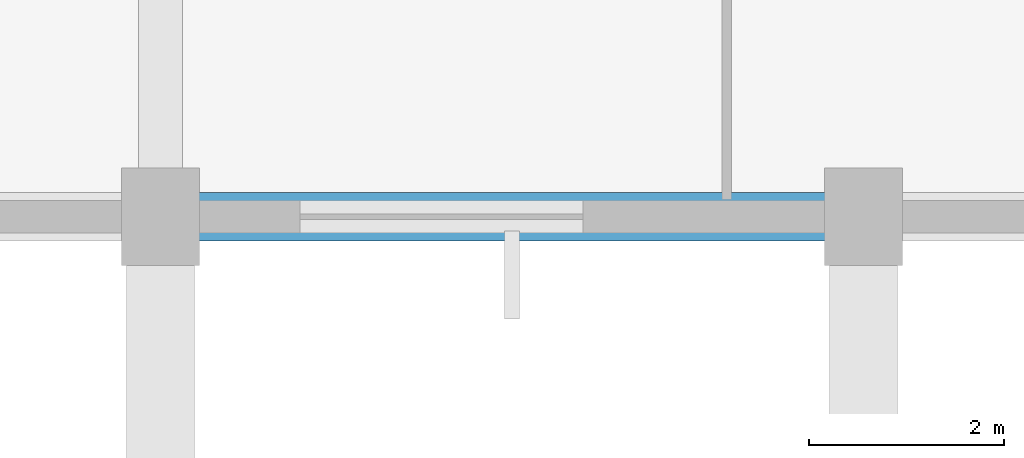
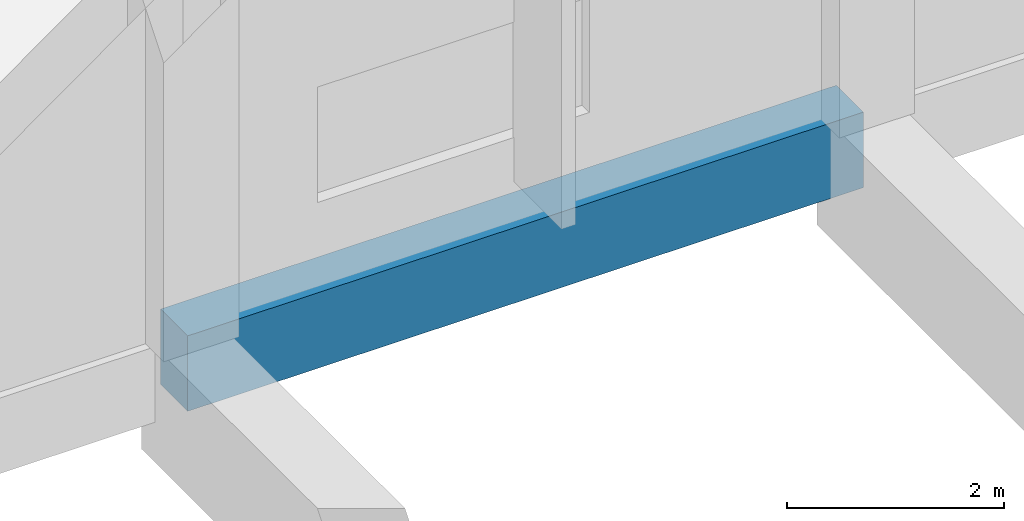
# One storey, part 3 of 141: 1 beam.
"""IFC4 building model written with IfcOpenShell, lengths in metres."""

from ifc_helpers import new_model, si_unit, direction, frame, origin, origin_2d, place, context, subcontext, project, spatial, rectangle, extrude, material, material_profile, profile_set, type_object, element, save


model = new_model("IFC4")

# Units and contexts
model_context = context("Model", 3, precision=1e-05, world=origin(), true_north=direction((0.0, 1.0)))
body_context = subcontext(model_context, "Body", "Model", "MODEL_VIEW")
ifc_project = project(units=[si_unit("LENGTHUNIT", "METRE"), si_unit("AREAUNIT", "SQUARE_METRE"), si_unit("VOLUMEUNIT", "CUBIC_METRE"), si_unit("PLANEANGLEUNIT", "RADIAN"), si_unit("MASSUNIT", "GRAM", prefix="KILO")], contexts=[model_context])

# Site, building, storey
site_placement = place(None, origin())
site = spatial("IfcSite", under=ifc_project, at=site_placement, CompositionType="ELEMENT")
building_placement = place(site_placement, origin())
building = spatial("IfcBuilding", under=site, at=building_placement, Name="Seraya Terrace Polytechnic", CompositionType="ELEMENT")
storey_placement = place(building_placement, frame((0.0, 0.0, 14.39990234375)))
storey = spatial("IfcBuildingStorey", under=building, at=storey_placement, Name="L03", CompositionType="ELEMENT", Elevation=14.39990234375)

# Beam
ifc_material = material(Name="Concrete C40/50", Category="concrete")
ifc_material_profile = material_profile(ifc_material, rectangle(XDim=0.5, YDim=0.85009765625, at=origin_2d()), Name="RC 500x850")
ifc_profile_set = profile_set([ifc_material_profile], Name="Concrete C40/50")
beam_type = type_object("IfcBeamType", Name="BM-05", PredefinedType="BEAM", material=ifc_profile_set)
beam_placement = place(storey_placement, frame((7.199951171875, 14.39990234375, -0.4248046875), z_axis=(1.0, 0.0, 0.0), x_axis=(0.0, 1.0, 0.0)))
element("IfcBeam", 1, at=beam_placement, inside=storey, type_object=beam_type, Name="Beam BM-05 L03 X (7.2..14.4, 14.4)", PredefinedType="BEAM", context=body_context, shape_type="SweptSolid", body=[
    extrude(rectangle(XDim=0.5, YDim=0.85009765625, at=origin_2d()), origin(), (0.0, 0.0, 1.0), 7.199951171875),
])

save(model, "model.ifc")
